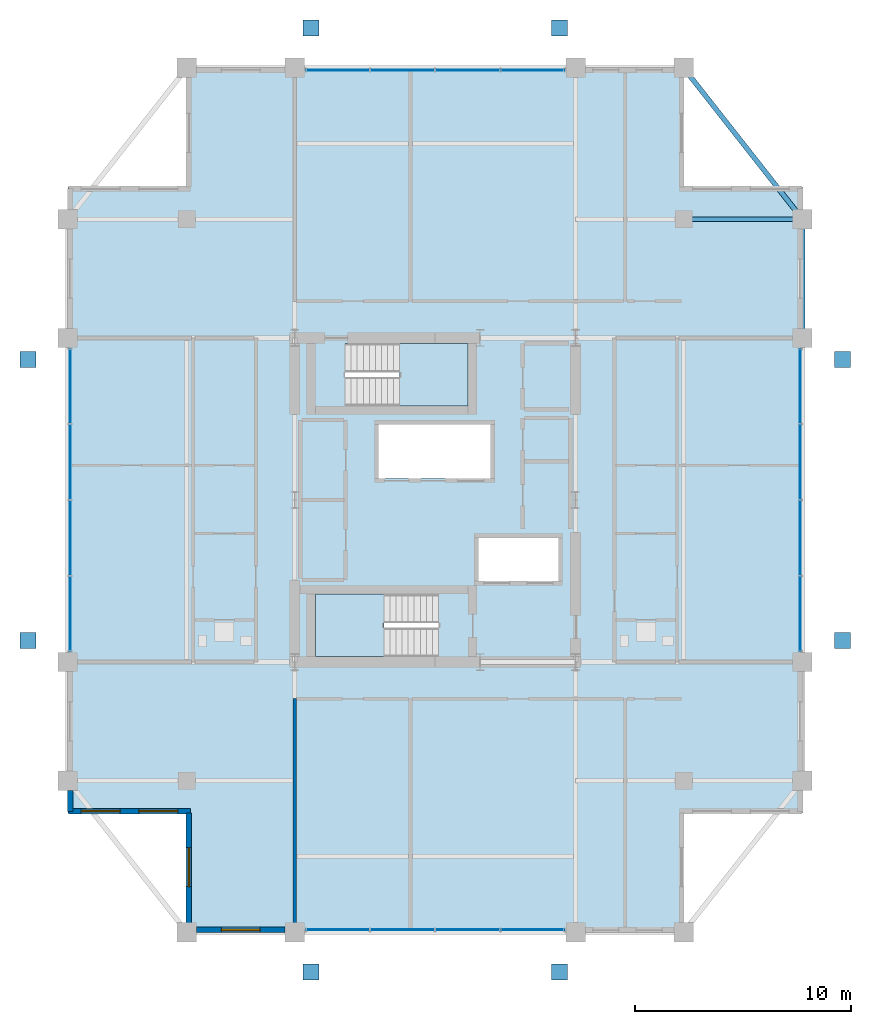
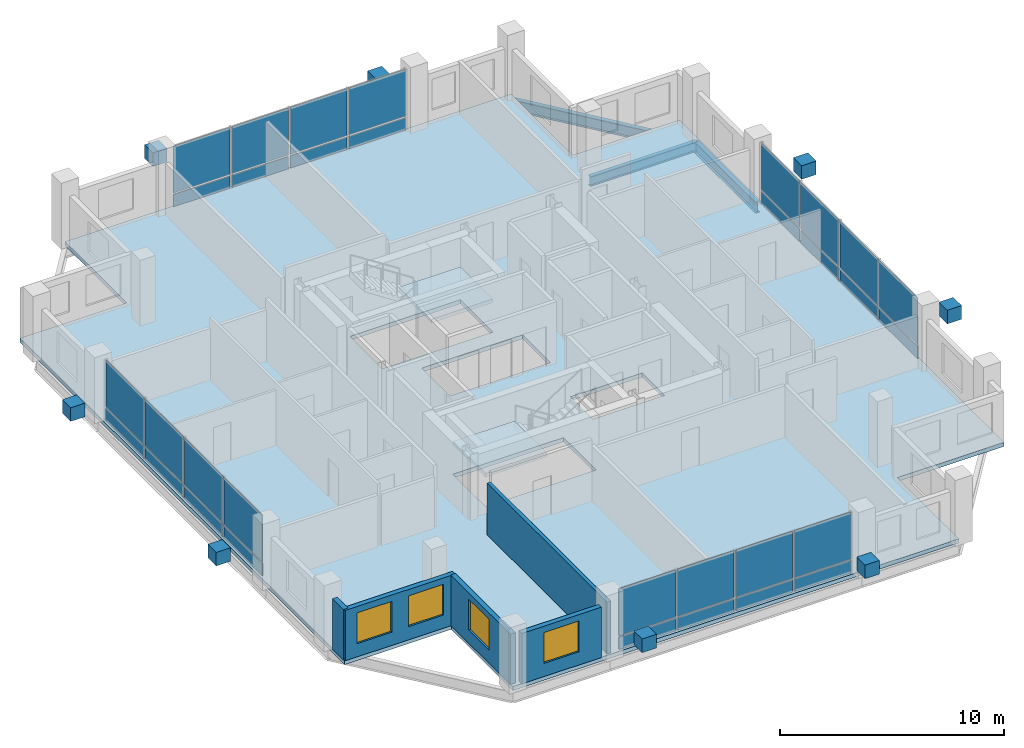
# One storey, part 15 of 21: 40 plates, 5 walls, 4 windows, 3 beams, 3 slabs, 4 openings, 6 elements without a shape of their own.
"""IFC4 building model written with IfcOpenShell, lengths in metres."""

from ifc_helpers import new_model, si_unit, direction, frame, frame_2d, origin, origin_2d, place, context, subcontext, project, spatial, polyline, rectangle, i_section, outline, extrude, material, layer, layer_set, material_profile, profile_set, type_object, element, fill, aggregate, save


model = new_model("IFC4")

# Units and contexts
model_context = context("Model", 3, precision=1e-05, world=origin(), true_north=direction((0.0, 1.0)))
body_context = subcontext(model_context, "Body", "Model", "MODEL_VIEW")
ifc_project = project(units=[si_unit("LENGTHUNIT", "METRE"), si_unit("AREAUNIT", "SQUARE_METRE"), si_unit("VOLUMEUNIT", "CUBIC_METRE"), si_unit("PLANEANGLEUNIT", "RADIAN"), si_unit("MASSUNIT", "GRAM", prefix="KILO")], contexts=[model_context])

# Site, building, storey
site_placement = place(None, origin())
site = spatial("IfcSite", under=ifc_project, at=site_placement, CompositionType="ELEMENT")
building_placement = place(site_placement, origin())
building = spatial("IfcBuilding", under=site, at=building_placement, Name="Barlavira Tower and Art Museum", CompositionType="ELEMENT")
storey_placement = place(building_placement, frame((0.0, 0.0, 287.10009765625)))
storey = spatial("IfcBuildingStorey", under=building, at=storey_placement, Name="L75", CompositionType="ELEMENT", Elevation=287.10009765625)

# Beams
ifc_material_1 = material(Name="Steel S355", Category="steel")
ifc_material_profile_1 = material_profile(ifc_material_1, i_section(OverallWidth=0.22998046875, OverallDepth=0.616943359375, WebThickness=0.01318359375, FlangeThickness=0.022216796875, at=origin_2d()), Name="W610x140.0")
ifc_profile_set_1 = profile_set([ifc_material_profile_1], Name="Steel S355")
beam_type_1 = type_object("IfcBeamType", Name="Upper Shaft Spandrel Edge Beam W610x140 Steel S355", PredefinedType="SPANDREL", material=ifc_profile_set_1)
beam_1_placement = place(storey_placement, frame((17.0, 7.5, -0.528564453125), z_axis=(0.0, 1.0, 0.0), x_axis=(-1.0, 0.0, 0.0)))
element("IfcBeam", 1, at=beam_1_placement, inside=storey, type_object=beam_type_1, Name="L75 Spandrel 7", PredefinedType="SPANDREL", context=body_context, shape_type="SweptSolid", body=[
    extrude(i_section(OverallWidth=0.22998046875, OverallDepth=0.616943359375, WebThickness=0.01318359375, FlangeThickness=0.022216796875, at=origin_2d()), origin(), (0.0, 0.0, 1.0), 5.5),
])
beam_2_placement = place(storey_placement, frame((17.0, 13.0, -0.528564453125), z_axis=(-0.617821551932, 0.786318338822, 0.0), x_axis=(-0.786318338822, -0.617821551932, 0.0)))
element("IfcBeam", 2, at=beam_2_placement, inside=storey, type_object=beam_type_1, Name="L75 Spandrel 8", PredefinedType="SPANDREL", context=body_context, shape_type="SweptSolid", body=[
    extrude(i_section(OverallWidth=0.22998046875, OverallDepth=0.616943359375, WebThickness=0.01318359375, FlangeThickness=0.022216796875, at=origin_2d()), origin(), (0.0, 0.0, 1.0), 8.90234375),
])
ifc_material_profile_2 = material_profile(ifc_material_1, i_section(OverallWidth=0.2109375, OverallDepth=0.5390625, WebThickness=0.01171875, FlangeThickness=0.018798828125, at=origin_2d()), Name="W530x109.0")
ifc_profile_set_2 = profile_set([ifc_material_profile_2], Name="Steel S355")
beam_type_2 = type_object("IfcBeamType", Name="Zone 3-4 Primary Floor Girder W530x109 Steel S355", PredefinedType="BEAM", material=ifc_profile_set_2)
beam_3_placement = place(storey_placement, frame((11.5, 13.0, -0.489501953125), z_axis=(1.0, 0.0, 0.0), x_axis=(0.0, 1.0, 0.0)))
element("IfcBeam", 3, at=beam_3_placement, inside=storey, type_object=beam_type_2, Name="L75 Girder I-N4", PredefinedType="BEAM", context=body_context, shape_type="SweptSolid", body=[
    extrude(i_section(OverallWidth=0.2109375, OverallDepth=0.5390625, WebThickness=0.01171875, FlangeThickness=0.018798828125, at=origin_2d()), origin(), (0.0, 0.0, 1.0), 5.5),
])

# Curtain wall, plates
ifc_material_2 = material(Name="Low-iron coastal laminated glass", Category="glass")
ifc_layer_1 = layer(ifc_material_2, 0.2099609375, Name="Low-iron coastal laminated glass")
ifc_layer_set_1 = layer_set([ifc_layer_1], Name="Low-iron coastal laminated glass")
curtain_wall_type = type_object("IfcCurtainWallType", Name="Pale-Metal Unitised Curtain Wall Zone 4", PredefinedType="NOTDEFINED", material=ifc_layer_set_1)
curtain_wall_1_placement = place(storey_placement, origin())
curtain_wall_1 = element("IfcCurtainWall", 4, at=curtain_wall_1_placement, inside=storey, type_object=curtain_wall_type, Name="L75 Curtain Wall CW4-L75-S-B2", PredefinedType="NOTDEFINED")
ifc_material_3 = material(Name="Pale anodised aluminium", Category="aluminium")
ifc_layer_2 = layer(ifc_material_3, 0.044921875, Name="Pale anodised aluminium")
ifc_layer_set_2 = layer_set([ifc_layer_2], Name="Pale anodised aluminium")
plate_type_1 = type_object("IfcPlateType", Name="Curtain Wall Pale-Metal Spandrel Panel 45", PredefinedType="CURTAIN_PANEL", material=ifc_layer_set_2)
plate_1_placement = place(storey_placement, frame((-4.5224609375, -19.89990234375, 0.039794921875), z_axis=(0.0, 0.0, 1.0), x_axis=(1.0, 0.0, 0.0)))
plate_1 = element("IfcPlate", 5, at=plate_1_placement, type_object=plate_type_1, Name="CW4-L75-S-B2 Spandrel Panel 0", PredefinedType="CURTAIN_PANEL", context=body_context, shape_type="SweptSolid", body=[
    extrude(rectangle(XDim=2.9150390625, YDim=0.044921875, at=origin_2d()), origin(), (0.0, 0.0, 1.0), 0.6640625),
])
plate_2_placement = place(storey_placement, frame((-1.507568359375, -19.89990234375, 0.039794921875), z_axis=(0.0, 0.0, 1.0), x_axis=(1.0, 0.0, 0.0)))
plate_2 = element("IfcPlate", 6, at=plate_2_placement, type_object=plate_type_1, Name="CW4-L75-S-B2 Spandrel Panel 1", PredefinedType="CURTAIN_PANEL", context=body_context, shape_type="SweptSolid", body=[
    extrude(rectangle(XDim=2.9150390625, YDim=0.044921875, at=origin_2d()), origin(), (0.0, 0.0, 1.0), 0.6640625),
])
plate_3_placement = place(storey_placement, frame((1.507568359375, -19.89990234375, 0.039794921875), z_axis=(0.0, 0.0, 1.0), x_axis=(1.0, 0.0, 0.0)))
plate_3 = element("IfcPlate", 7, at=plate_3_placement, type_object=plate_type_1, Name="CW4-L75-S-B2 Spandrel Panel 2", PredefinedType="CURTAIN_PANEL", context=body_context, shape_type="SweptSolid", body=[
    extrude(rectangle(XDim=2.9150390625, YDim=0.044921875, at=origin_2d()), origin(), (0.0, 0.0, 1.0), 0.6640625),
])
plate_4_placement = place(storey_placement, frame((4.5224609375, -19.89990234375, 0.039794921875), z_axis=(0.0, 0.0, 1.0), x_axis=(1.0, 0.0, 0.0)))
plate_4 = element("IfcPlate", 8, at=plate_4_placement, type_object=plate_type_1, Name="CW4-L75-S-B2 Spandrel Panel 3", PredefinedType="CURTAIN_PANEL", context=body_context, shape_type="SweptSolid", body=[
    extrude(rectangle(XDim=2.9150390625, YDim=0.044921875, at=origin_2d()), origin(), (0.0, 0.0, 1.0), 0.6640625),
])

curtain_wall_2_placement = place(storey_placement, origin())
curtain_wall_2 = element("IfcCurtainWall", 9, at=curtain_wall_2_placement, inside=storey, type_object=curtain_wall_type, Name="L75 Curtain Wall CW4-L75-N-B2", PredefinedType="NOTDEFINED")
plate_5_placement = place(storey_placement, frame((4.5224609375, 19.89990234375, 0.039794921875), z_axis=(0.0, 0.0, 1.0), x_axis=(-1.0, 0.0, 0.0)))
plate_5 = element("IfcPlate", 10, at=plate_5_placement, type_object=plate_type_1, Name="CW4-L75-N-B2 Spandrel Panel 0", PredefinedType="CURTAIN_PANEL", context=body_context, shape_type="SweptSolid", body=[
    extrude(rectangle(XDim=2.9150390625, YDim=0.044921875, at=origin_2d()), origin(), (0.0, 0.0, 1.0), 0.6640625),
])
plate_6_placement = place(storey_placement, frame((1.507568359375, 19.89990234375, 0.039794921875), z_axis=(0.0, 0.0, 1.0), x_axis=(-1.0, 0.0, 0.0)))
plate_6 = element("IfcPlate", 11, at=plate_6_placement, type_object=plate_type_1, Name="CW4-L75-N-B2 Spandrel Panel 1", PredefinedType="CURTAIN_PANEL", context=body_context, shape_type="SweptSolid", body=[
    extrude(rectangle(XDim=2.9150390625, YDim=0.044921875, at=origin_2d()), origin(), (0.0, 0.0, 1.0), 0.6640625),
])
plate_7_placement = place(storey_placement, frame((-1.507568359375, 19.89990234375, 0.039794921875), z_axis=(0.0, 0.0, 1.0), x_axis=(-1.0, 0.0, 0.0)))
plate_7 = element("IfcPlate", 12, at=plate_7_placement, type_object=plate_type_1, Name="CW4-L75-N-B2 Spandrel Panel 2", PredefinedType="CURTAIN_PANEL", context=body_context, shape_type="SweptSolid", body=[
    extrude(rectangle(XDim=2.9150390625, YDim=0.044921875, at=origin_2d()), origin(), (0.0, 0.0, 1.0), 0.6640625),
])
plate_8_placement = place(storey_placement, frame((-4.5224609375, 19.89990234375, 0.039794921875), z_axis=(0.0, 0.0, 1.0), x_axis=(-1.0, 0.0, 0.0)))
plate_8 = element("IfcPlate", 13, at=plate_8_placement, type_object=plate_type_1, Name="CW4-L75-N-B2 Spandrel Panel 3", PredefinedType="CURTAIN_PANEL", context=body_context, shape_type="SweptSolid", body=[
    extrude(rectangle(XDim=2.9150390625, YDim=0.044921875, at=origin_2d()), origin(), (0.0, 0.0, 1.0), 0.6640625),
])

curtain_wall_3_placement = place(storey_placement, origin())
curtain_wall_3 = element("IfcCurtainWall", 14, at=curtain_wall_3_placement, inside=storey, type_object=curtain_wall_type, Name="L75 Curtain Wall CW4-L75-W-B3", PredefinedType="NOTDEFINED")
plate_9_placement = place(storey_placement, frame((-16.89990234375, 5.2724609375, 0.039794921875), z_axis=(0.0, 0.0, 1.0), x_axis=(0.0, -1.0, 0.0)))
plate_9 = element("IfcPlate", 15, at=plate_9_placement, type_object=plate_type_1, Name="CW4-L75-W-B3 Spandrel Panel 0", PredefinedType="CURTAIN_PANEL", context=body_context, shape_type="SweptSolid", body=[
    extrude(rectangle(XDim=3.4150390625, YDim=0.044921875, at=origin_2d()), origin(), (0.0, 0.0, 1.0), 0.6640625),
])
plate_10_placement = place(storey_placement, frame((-16.89990234375, 1.757568359375, 0.039794921875), z_axis=(0.0, 0.0, 1.0), x_axis=(0.0, -1.0, 0.0)))
plate_10 = element("IfcPlate", 16, at=plate_10_placement, type_object=plate_type_1, Name="CW4-L75-W-B3 Spandrel Panel 1", PredefinedType="CURTAIN_PANEL", context=body_context, shape_type="SweptSolid", body=[
    extrude(rectangle(XDim=3.4150390625, YDim=0.044921875, at=origin_2d()), origin(), (0.0, 0.0, 1.0), 0.6640625),
])
plate_11_placement = place(storey_placement, frame((-16.89990234375, -1.757568359375, 0.039794921875), z_axis=(0.0, 0.0, 1.0), x_axis=(0.0, -1.0, 0.0)))
plate_11 = element("IfcPlate", 17, at=plate_11_placement, type_object=plate_type_1, Name="CW4-L75-W-B3 Spandrel Panel 2", PredefinedType="CURTAIN_PANEL", context=body_context, shape_type="SweptSolid", body=[
    extrude(rectangle(XDim=3.4150390625, YDim=0.044921875, at=origin_2d()), origin(), (0.0, 0.0, 1.0), 0.6640625),
])
plate_12_placement = place(storey_placement, frame((-16.89990234375, -5.2724609375, 0.039794921875), z_axis=(0.0, 0.0, 1.0), x_axis=(0.0, -1.0, 0.0)))
plate_12 = element("IfcPlate", 18, at=plate_12_placement, type_object=plate_type_1, Name="CW4-L75-W-B3 Spandrel Panel 3", PredefinedType="CURTAIN_PANEL", context=body_context, shape_type="SweptSolid", body=[
    extrude(rectangle(XDim=3.4150390625, YDim=0.044921875, at=origin_2d()), origin(), (0.0, 0.0, 1.0), 0.6640625),
])

curtain_wall_4_placement = place(storey_placement, origin())
curtain_wall_4 = element("IfcCurtainWall", 19, at=curtain_wall_4_placement, inside=storey, type_object=curtain_wall_type, Name="L75 Curtain Wall CW4-L75-E-B3", PredefinedType="NOTDEFINED")
plate_13_placement = place(storey_placement, frame((16.89990234375, -5.2724609375, 0.039794921875), z_axis=(0.0, 0.0, 1.0), x_axis=(0.0, 1.0, 0.0)))
plate_13 = element("IfcPlate", 20, at=plate_13_placement, type_object=plate_type_1, Name="CW4-L75-E-B3 Spandrel Panel 0", PredefinedType="CURTAIN_PANEL", context=body_context, shape_type="SweptSolid", body=[
    extrude(rectangle(XDim=3.4150390625, YDim=0.044921875, at=origin_2d()), origin(), (0.0, 0.0, 1.0), 0.6640625),
])
plate_14_placement = place(storey_placement, frame((16.89990234375, -1.757568359375, 0.039794921875), z_axis=(0.0, 0.0, 1.0), x_axis=(0.0, 1.0, 0.0)))
plate_14 = element("IfcPlate", 21, at=plate_14_placement, type_object=plate_type_1, Name="CW4-L75-E-B3 Spandrel Panel 1", PredefinedType="CURTAIN_PANEL", context=body_context, shape_type="SweptSolid", body=[
    extrude(rectangle(XDim=3.4150390625, YDim=0.044921875, at=origin_2d()), origin(), (0.0, 0.0, 1.0), 0.6640625),
])
plate_15_placement = place(storey_placement, frame((16.89990234375, 1.757568359375, 0.039794921875), z_axis=(0.0, 0.0, 1.0), x_axis=(0.0, 1.0, 0.0)))
plate_15 = element("IfcPlate", 22, at=plate_15_placement, type_object=plate_type_1, Name="CW4-L75-E-B3 Spandrel Panel 2", PredefinedType="CURTAIN_PANEL", context=body_context, shape_type="SweptSolid", body=[
    extrude(rectangle(XDim=3.4150390625, YDim=0.044921875, at=origin_2d()), origin(), (0.0, 0.0, 1.0), 0.6640625),
])
plate_16_placement = place(storey_placement, frame((16.89990234375, 5.2724609375, 0.039794921875), z_axis=(0.0, 0.0, 1.0), x_axis=(0.0, 1.0, 0.0)))
plate_16 = element("IfcPlate", 23, at=plate_16_placement, type_object=plate_type_1, Name="CW4-L75-E-B3 Spandrel Panel 3", PredefinedType="CURTAIN_PANEL", context=body_context, shape_type="SweptSolid", body=[
    extrude(rectangle(XDim=3.4150390625, YDim=0.044921875, at=origin_2d()), origin(), (0.0, 0.0, 1.0), 0.6640625),
])

# Plate
ifc_layer_3 = layer(ifc_material_2, 0.028076171875, Name="Low-iron coastal laminated glass")
ifc_layer_set_3 = layer_set([ifc_layer_3], Name="Low-iron coastal laminated glass")
plate_type_2 = type_object("IfcPlateType", Name="Curtain Wall Vision Glazing Panel 28", PredefinedType="CURTAIN_PANEL", material=ifc_layer_set_3)
plate_17_placement = place(storey_placement, frame((-4.5224609375, -19.89990234375, 0.7841796875), z_axis=(0.0, 0.0, 1.0), x_axis=(1.0, 0.0, 0.0)))
plate_17 = element("IfcPlate", 24, at=plate_17_placement, type_object=plate_type_2, Name="CW4-L75-S-B2 Vision Glass Panel 0", PredefinedType="CURTAIN_PANEL", context=body_context, shape_type="SweptSolid", body=[
    extrude(rectangle(XDim=2.9150390625, YDim=0.028076171875, at=origin_2d()), origin(), (0.0, 0.0, 1.0), 2.555908203125),
])

plate_18_placement = place(storey_placement, frame((-1.507568359375, -19.89990234375, 0.7841796875), z_axis=(0.0, 0.0, 1.0), x_axis=(1.0, 0.0, 0.0)))
plate_18 = element("IfcPlate", 25, at=plate_18_placement, type_object=plate_type_2, Name="CW4-L75-S-B2 Vision Glass Panel 1", PredefinedType="CURTAIN_PANEL", context=body_context, shape_type="SweptSolid", body=[
    extrude(rectangle(XDim=2.9150390625, YDim=0.028076171875, at=origin_2d()), origin(), (0.0, 0.0, 1.0), 2.555908203125),
])

plate_19_placement = place(storey_placement, frame((1.507568359375, -19.89990234375, 0.7841796875), z_axis=(0.0, 0.0, 1.0), x_axis=(1.0, 0.0, 0.0)))
plate_19 = element("IfcPlate", 26, at=plate_19_placement, type_object=plate_type_2, Name="CW4-L75-S-B2 Vision Glass Panel 2", PredefinedType="CURTAIN_PANEL", context=body_context, shape_type="SweptSolid", body=[
    extrude(rectangle(XDim=2.9150390625, YDim=0.028076171875, at=origin_2d()), origin(), (0.0, 0.0, 1.0), 2.555908203125),
])

plate_20_placement = place(storey_placement, frame((4.5224609375, -19.89990234375, 0.7841796875), z_axis=(0.0, 0.0, 1.0), x_axis=(1.0, 0.0, 0.0)))
plate_20 = element("IfcPlate", 27, at=plate_20_placement, type_object=plate_type_2, Name="CW4-L75-S-B2 Vision Glass Panel 3", PredefinedType="CURTAIN_PANEL", context=body_context, shape_type="SweptSolid", body=[
    extrude(rectangle(XDim=2.9150390625, YDim=0.028076171875, at=origin_2d()), origin(), (0.0, 0.0, 1.0), 2.555908203125),
])

aggregate(curtain_wall_1, [plate_1, plate_17, plate_2, plate_18, plate_3, plate_19, plate_4, plate_20])

plate_21_placement = place(storey_placement, frame((4.5224609375, 19.89990234375, 0.7841796875), z_axis=(0.0, 0.0, 1.0), x_axis=(-1.0, 0.0, 0.0)))
plate_21 = element("IfcPlate", 28, at=plate_21_placement, type_object=plate_type_2, Name="CW4-L75-N-B2 Vision Glass Panel 0", PredefinedType="CURTAIN_PANEL", context=body_context, shape_type="SweptSolid", body=[
    extrude(rectangle(XDim=2.9150390625, YDim=0.028076171875, at=origin_2d()), origin(), (0.0, 0.0, 1.0), 2.555908203125),
])

plate_22_placement = place(storey_placement, frame((1.507568359375, 19.89990234375, 0.7841796875), z_axis=(0.0, 0.0, 1.0), x_axis=(-1.0, 0.0, 0.0)))
plate_22 = element("IfcPlate", 29, at=plate_22_placement, type_object=plate_type_2, Name="CW4-L75-N-B2 Vision Glass Panel 1", PredefinedType="CURTAIN_PANEL", context=body_context, shape_type="SweptSolid", body=[
    extrude(rectangle(XDim=2.9150390625, YDim=0.028076171875, at=origin_2d()), origin(), (0.0, 0.0, 1.0), 2.555908203125),
])

plate_23_placement = place(storey_placement, frame((-1.507568359375, 19.89990234375, 0.7841796875), z_axis=(0.0, 0.0, 1.0), x_axis=(-1.0, 0.0, 0.0)))
plate_23 = element("IfcPlate", 30, at=plate_23_placement, type_object=plate_type_2, Name="CW4-L75-N-B2 Vision Glass Panel 2", PredefinedType="CURTAIN_PANEL", context=body_context, shape_type="SweptSolid", body=[
    extrude(rectangle(XDim=2.9150390625, YDim=0.028076171875, at=origin_2d()), origin(), (0.0, 0.0, 1.0), 2.555908203125),
])

plate_24_placement = place(storey_placement, frame((-4.5224609375, 19.89990234375, 0.7841796875), z_axis=(0.0, 0.0, 1.0), x_axis=(-1.0, 0.0, 0.0)))
plate_24 = element("IfcPlate", 31, at=plate_24_placement, type_object=plate_type_2, Name="CW4-L75-N-B2 Vision Glass Panel 3", PredefinedType="CURTAIN_PANEL", context=body_context, shape_type="SweptSolid", body=[
    extrude(rectangle(XDim=2.9150390625, YDim=0.028076171875, at=origin_2d()), origin(), (0.0, 0.0, 1.0), 2.555908203125),
])

aggregate(curtain_wall_2, [plate_5, plate_21, plate_6, plate_22, plate_7, plate_23, plate_8, plate_24])

plate_25_placement = place(storey_placement, frame((-16.89990234375, 5.2724609375, 0.7841796875), z_axis=(0.0, 0.0, 1.0), x_axis=(0.0, -1.0, 0.0)))
plate_25 = element("IfcPlate", 32, at=plate_25_placement, type_object=plate_type_2, Name="CW4-L75-W-B3 Vision Glass Panel 0", PredefinedType="CURTAIN_PANEL", context=body_context, shape_type="SweptSolid", body=[
    extrude(rectangle(XDim=3.4150390625, YDim=0.028076171875, at=origin_2d()), origin(), (0.0, 0.0, 1.0), 2.555908203125),
])

plate_26_placement = place(storey_placement, frame((-16.89990234375, 1.757568359375, 0.7841796875), z_axis=(0.0, 0.0, 1.0), x_axis=(0.0, -1.0, 0.0)))
plate_26 = element("IfcPlate", 33, at=plate_26_placement, type_object=plate_type_2, Name="CW4-L75-W-B3 Vision Glass Panel 1", PredefinedType="CURTAIN_PANEL", context=body_context, shape_type="SweptSolid", body=[
    extrude(rectangle(XDim=3.4150390625, YDim=0.028076171875, at=origin_2d()), origin(), (0.0, 0.0, 1.0), 2.555908203125),
])

plate_27_placement = place(storey_placement, frame((-16.89990234375, -1.757568359375, 0.7841796875), z_axis=(0.0, 0.0, 1.0), x_axis=(0.0, -1.0, 0.0)))
plate_27 = element("IfcPlate", 34, at=plate_27_placement, type_object=plate_type_2, Name="CW4-L75-W-B3 Vision Glass Panel 2", PredefinedType="CURTAIN_PANEL", context=body_context, shape_type="SweptSolid", body=[
    extrude(rectangle(XDim=3.4150390625, YDim=0.028076171875, at=origin_2d()), origin(), (0.0, 0.0, 1.0), 2.555908203125),
])

plate_28_placement = place(storey_placement, frame((-16.89990234375, -5.2724609375, 0.7841796875), z_axis=(0.0, 0.0, 1.0), x_axis=(0.0, -1.0, 0.0)))
plate_28 = element("IfcPlate", 35, at=plate_28_placement, type_object=plate_type_2, Name="CW4-L75-W-B3 Vision Glass Panel 3", PredefinedType="CURTAIN_PANEL", context=body_context, shape_type="SweptSolid", body=[
    extrude(rectangle(XDim=3.4150390625, YDim=0.028076171875, at=origin_2d()), origin(), (0.0, 0.0, 1.0), 2.555908203125),
])

aggregate(curtain_wall_3, [plate_9, plate_25, plate_10, plate_26, plate_11, plate_27, plate_12, plate_28])

plate_29_placement = place(storey_placement, frame((16.89990234375, -5.2724609375, 0.7841796875), z_axis=(0.0, 0.0, 1.0), x_axis=(0.0, 1.0, 0.0)))
plate_29 = element("IfcPlate", 36, at=plate_29_placement, type_object=plate_type_2, Name="CW4-L75-E-B3 Vision Glass Panel 0", PredefinedType="CURTAIN_PANEL", context=body_context, shape_type="SweptSolid", body=[
    extrude(rectangle(XDim=3.4150390625, YDim=0.028076171875, at=origin_2d()), origin(), (0.0, 0.0, 1.0), 2.555908203125),
])

plate_30_placement = place(storey_placement, frame((16.89990234375, -1.757568359375, 0.7841796875), z_axis=(0.0, 0.0, 1.0), x_axis=(0.0, 1.0, 0.0)))
plate_30 = element("IfcPlate", 37, at=plate_30_placement, type_object=plate_type_2, Name="CW4-L75-E-B3 Vision Glass Panel 1", PredefinedType="CURTAIN_PANEL", context=body_context, shape_type="SweptSolid", body=[
    extrude(rectangle(XDim=3.4150390625, YDim=0.028076171875, at=origin_2d()), origin(), (0.0, 0.0, 1.0), 2.555908203125),
])

plate_31_placement = place(storey_placement, frame((16.89990234375, 1.757568359375, 0.7841796875), z_axis=(0.0, 0.0, 1.0), x_axis=(0.0, 1.0, 0.0)))
plate_31 = element("IfcPlate", 38, at=plate_31_placement, type_object=plate_type_2, Name="CW4-L75-E-B3 Vision Glass Panel 2", PredefinedType="CURTAIN_PANEL", context=body_context, shape_type="SweptSolid", body=[
    extrude(rectangle(XDim=3.4150390625, YDim=0.028076171875, at=origin_2d()), origin(), (0.0, 0.0, 1.0), 2.555908203125),
])

plate_32_placement = place(storey_placement, frame((16.89990234375, 5.2724609375, 0.7841796875), z_axis=(0.0, 0.0, 1.0), x_axis=(0.0, 1.0, 0.0)))
plate_32 = element("IfcPlate", 39, at=plate_32_placement, type_object=plate_type_2, Name="CW4-L75-E-B3 Vision Glass Panel 3", PredefinedType="CURTAIN_PANEL", context=body_context, shape_type="SweptSolid", body=[
    extrude(rectangle(XDim=3.4150390625, YDim=0.028076171875, at=origin_2d()), origin(), (0.0, 0.0, 1.0), 2.555908203125),
])

aggregate(curtain_wall_4, [plate_13, plate_29, plate_14, plate_30, plate_15, plate_31, plate_16, plate_32])

# Plates
ifc_layer_4 = layer(ifc_material_1, 0.739990234375, Name="Steel S355")
ifc_layer_set_4 = layer_set([ifc_layer_4], Name="Steel S355")
plate_type_3 = type_object("IfcPlateType", Name="Exoskeleton Solid Steel Node Cap Plate Assembly Type 4 Steel S355", PredefinedType="USERDEFINED", material=ifc_layer_set_4)
for number, where, z_axis, x_axis, name in (
    (40, (-5.75, -21.85009765625, 1.31005859375), (0.0, 0.0, 1.0), (1.0, 0.0, 0.0), "Exoskeleton Diamond Node S1 ND-L75-0832"),
    (41, (5.75, -21.85009765625, 1.31005859375), (0.0, 0.0, 1.0), (1.0, 0.0, 0.0), "Exoskeleton Diamond Node S2 ND-L75-0833"),
    (42, (-5.75, 21.85009765625, 1.31005859375), (0.0, 0.0, 1.0), (1.0, 0.0, 0.0), "Exoskeleton Diamond Node N1 ND-L75-0840"),
    (43, (5.75, 21.85009765625, 1.31005859375), (0.0, 0.0, 1.0), (1.0, 0.0, 0.0), "Exoskeleton Diamond Node N2 ND-L75-0841"),
    (44, (-18.85009765625, -6.5, 1.31005859375), (0.0, 0.0, 1.0), (1.0, 0.0, 0.0), "Exoskeleton Diamond Node W1 ND-L75-0848"),
    (45, (-18.85009765625, 6.5, 1.31005859375), (0.0, 0.0, 1.0), (1.0, 0.0, 0.0), "Exoskeleton Diamond Node W2 ND-L75-0849"),
    (46, (18.85009765625, -6.5, 1.31005859375), (0.0, 0.0, 1.0), (1.0, 0.0, 0.0), "Exoskeleton Diamond Node E1 ND-L75-0856"),
    (47, (18.85009765625, 6.5, 1.31005859375), (0.0, 0.0, 1.0), (1.0, 0.0, 0.0), "Exoskeleton Diamond Node E2 ND-L75-0857"),
):
    element("IfcPlate", number, at=place(storey_placement, frame(where, z_axis=z_axis, x_axis=x_axis)), inside=storey, type_object=plate_type_3, Name=name, ObjectType="FLANGE_PLATE", PredefinedType="USERDEFINED", context=body_context, shape_type="SweptSolid", body=[
        extrude(rectangle(XDim=0.739990234375, YDim=0.739990234375, at=origin_2d()), origin(), (0.0, 0.0, 1.0), 0.739990234375),
    ])

# Stair, slab
ifc_material_4 = material(Name="Concrete C45", Category="concrete")
stair_type_1 = type_object("IfcStairType", Name="Tower North Dog-Leg Exit Stair Assembly Concrete C45", PredefinedType="TWO_QUARTER_TURN_STAIR", material=ifc_material_4)
stair_1_placement = place(storey_placement, origin())
stair_1 = element("IfcStair", 48, at=stair_1_placement, inside=storey, type_object=stair_type_1, Name="L75 Tower North Exit Stair ST-T2", PredefinedType="TWO_QUARTER_TURN_STAIR")
ifc_layer_5 = layer(ifc_material_4, 0.199951171875, Name="Concrete C45")
ifc_layer_set_5 = layer_set([ifc_layer_5], Name="Concrete C45")
slab_type_1 = type_object("IfcSlabType", Name="Tower North Dog-Leg Exit Stair Half-Landing Slab 200 Concrete C45", PredefinedType="LANDING", material=ifc_layer_set_5)
slab_1_placement = place(storey_placement, frame((0.0, 0.0, 1.599853515625)))
slab_1 = element("IfcSlab", 49, at=slab_1_placement, type_object=slab_type_1, Name="ST-T2 landing 1", PredefinedType="LANDING", context=body_context, shape_type="SweptSolid", body=[
    extrude(outline(polyline([(-1.64990234375, 4.35009765625), (1.530029296875, 4.35009765625), (1.530029296875, 7.25), (-1.64990234375, 7.25), (-1.64990234375, 4.35009765625)])), origin(), (0.0, 0.0, 1.0), 0.199951171875),
])
aggregate(stair_1, [slab_1])

stair_type_2 = type_object("IfcStairType", Name="Tower South Dog-Leg Exit Stair Assembly Concrete C45", PredefinedType="TWO_QUARTER_TURN_STAIR", material=ifc_material_4)
stair_2_placement = place(storey_placement, origin())
stair_2 = element("IfcStair", 50, at=stair_2_placement, inside=storey, type_object=stair_type_2, Name="L75 Tower South Exit Stair ST-T1", PredefinedType="TWO_QUARTER_TURN_STAIR")
ifc_layer_6 = layer(ifc_material_4, 0.199951171875, Name="Concrete C45")
ifc_layer_set_6 = layer_set([ifc_layer_6], Name="Concrete C45")
slab_type_2 = type_object("IfcSlabType", Name="Tower South Dog-Leg Exit Stair Half-Landing Slab 200 Concrete C45", PredefinedType="LANDING", material=ifc_layer_set_6)
slab_2_placement = place(storey_placement, frame((0.0, 0.0, 1.599853515625)))
slab_2 = element("IfcSlab", 51, at=slab_2_placement, type_object=slab_type_2, Name="ST-T1 landing 1", PredefinedType="LANDING", context=body_context, shape_type="SweptSolid", body=[
    extrude(outline(polyline([(-2.3701171875, -4.35009765625), (-5.550048828125, -4.35009765625), (-5.550048828125, -7.25), (-2.3701171875, -7.25), (-2.3701171875, -4.35009765625)])), origin(), (0.0, 0.0, 1.0), 0.199951171875),
])
aggregate(stair_2, [slab_2])

# Slab
ifc_material_5 = material(Name="Concrete C50", Category="concrete")
ifc_layer_7 = layer(ifc_material_5, 0.18994140625, Name="Concrete C50")
ifc_layer_set_7 = layer_set([ifc_layer_7], Name="Concrete C50")
slab_type_3 = type_object("IfcSlabType", Name="Zone 4 Residential Composite Slab 190 Concrete C50", PredefinedType="FLOOR", material=ifc_layer_set_7)
slab_3_placement = place(storey_placement, frame((0.0, 0.0, -0.22021484375)))
element("IfcSlab", 52, at=slab_3_placement, inside=storey, type_object=slab_type_3, Name="L75 Tower Floor Slab", PredefinedType="FLOOR", context=body_context, shape_type="SweptSolid", body=[
    extrude(outline(polyline([(-11.5, -20.0), (11.5, -20.0), (11.5, -14.5), (17.0, -14.5), (17.0, 14.5), (11.5, 14.5), (11.5, 20.0), (-11.5, 20.0), (-11.5, 14.5), (-17.0, 14.5), (-17.0, -14.5), (-11.5, -14.5), (-11.5, -20.0)]), holes=[polyline([(0.14990234375, -4.35009765625), (-5.550048828125, -4.35009765625), (-5.550048828125, -7.25), (0.14990234375, -7.25), (0.14990234375, -4.35009765625)]), polyline([(-4.169921875, 4.35009765625), (1.530029296875, 4.35009765625), (1.530029296875, 7.25), (-4.169921875, 7.25), (-4.169921875, 4.35009765625)]), polyline([(-2.6201171875, 1.0), (2.56005859375, 1.0), (2.56005859375, 3.5), (-2.6201171875, 3.5), (-2.6201171875, 1.0)]), polyline([(2.0, -3.75), (5.699951171875, -3.75), (5.699951171875, -1.75), (2.0, -1.75), (2.0, -3.75)])]), origin(), (0.0, 0.0, 1.0), 0.22021484375),
])

# Wall
ifc_material_6 = material(Name="Gypsum acoustic stud partition", Category="gypsum")
ifc_layer_8 = layer(ifc_material_6, 0.179931640625, Name="Gypsum acoustic stud partition")
ifc_layer_set_8 = layer_set([ifc_layer_8], Name="Gypsum acoustic stud partition")
wall_type_1 = type_object("IfcWallType", Name="Inter-Tenancy Party Partition Wall 180", PredefinedType="PARTITIONING", material=ifc_layer_set_8)
wall_1_placement = place(storey_placement, frame((-6.5, -19.89990234375, 0.0), z_axis=(0.0, 0.0, 1.0), x_axis=(0.0, 1.0, 0.0)))
element("IfcWall", 53, at=wall_1_placement, inside=storey, type_object=wall_type_1, Name="L75 Partition Wall 3", PredefinedType="PARTITIONING", context=body_context, shape_type="SweptSolid", body=[
    extrude(rectangle(XDim=10.699951171875, YDim=0.179931640625, at=frame_2d((5.35009765625, 0.0))), origin(), (0.0, 0.0, 1.0), 2.825927734375),
])

# Wall, opening, window
ifc_material_7 = material(Name="Precast concrete C40", Category="concrete")
ifc_layer_9 = layer(ifc_material_7, 0.25, Name="Precast concrete C40")
ifc_layer_set_9 = layer_set([ifc_layer_9], Name="Precast concrete C40")
wall_type_2 = type_object("IfcWallType", Name="Notched Corner Spandrel Wall 250 Precast Concrete C40", PredefinedType="SOLIDWALL", material=ifc_layer_set_9)
wall_2_placement = place(storey_placement, frame((-11.054931640625, -19.89990234375, 0.0), z_axis=(0.0, 0.0, 1.0), x_axis=(1.0, 0.0, 0.0)))
wall_2 = element("IfcWall", 54, at=wall_2_placement, inside=storey, type_object=wall_type_2, Name="L75 Coastal Facade Pier Wall CW4-L75-S-1", PredefinedType="SOLIDWALL", context=body_context, shape_type="SweptSolid", body=[
    extrude(rectangle(XDim=4.10986328125, YDim=0.25, at=frame_2d((2.054931640625, 0.0))), origin(), (0.0, 0.0, 1.0), 2.747802734375),
])
opening_1_placement = place(wall_2_placement, frame((1.155029296875, 0.0, 0.719970703125)))
opening_1 = element("IfcOpeningElement", 55, at=opening_1_placement, cuts=wall_2, Name="Opening WN-01", PredefinedType="OPENING", context=body_context, shape_type="SweptSolid", body=[
    extrude(rectangle(XDim=1.800048828125, YDim=1.679931640625, at=frame_2d((0.89990234375, 0.83984375))), frame((0.0, 0.135009765625, 0.0), z_axis=(0.0, -1.0, 0.0), x_axis=(1.0, 0.0, 0.0)), (0.0, 0.0, 1.0), 0.27001953125),
])
window_type = type_object("IfcWindowType", Name="Recessed Notch Corner Punch Window 1800x1680", PartitioningType="SINGLE_PANEL", PredefinedType="WINDOW", material=ifc_material_2)
window_1_placement = place(opening_1_placement, origin())
window_1 = element("IfcWindow", 56, at=window_1_placement, inside=storey, type_object=window_type, Name="L75 Punched Facade Window EWP-CW4-L75-S-1-1", OverallHeight=1.679931640625, OverallWidth=1.800048828125, PartitioningType="SINGLE_PANEL", PredefinedType="WINDOW", context=body_context, shape_type="SweptSolid", body=[
    extrude(rectangle(XDim=1.800048828125, YDim=1.679931640625, at=frame_2d((0.89990234375, 0.83984375))), frame((0.0, 0.030029296875, 0.0), z_axis=(0.0, -1.0, 0.0), x_axis=(1.0, 0.0, 0.0)), (0.0, 0.0, 1.0), 0.06005859375),
])
fill(opening_1, window_1)

# Wall
wall_3_placement = place(storey_placement, frame((-16.89990234375, -13.445068359375, 0.0), z_axis=(0.0, 0.0, 1.0), x_axis=(0.0, -1.0, 0.0)))
element("IfcWall", 57, at=wall_3_placement, inside=storey, type_object=wall_type_2, Name="L75 Coastal Facade Pier Wall CW4-L75-W-5", PredefinedType="SOLIDWALL", context=body_context, shape_type="SweptSolid", body=[
    extrude(rectangle(XDim=0.97998046875, YDim=0.25, at=frame_2d((0.489990234375, 0.0))), origin(), (0.0, 0.0, 1.0), 2.747802734375),
])

# Wall, openings, windows
wall_4_placement = place(storey_placement, frame((-16.97998046875, -14.39990234375, 0.0), z_axis=(0.0, 0.0, 1.0), x_axis=(1.0, 0.0, 0.0)))
wall_4 = element("IfcWall", 58, at=wall_4_placement, inside=storey, type_object=wall_type_2, Name="L75 Notch Corner Wall SW1", PredefinedType="SOLIDWALL", context=body_context, shape_type="SweptSolid", body=[
    extrude(rectangle(XDim=5.659912109375, YDim=0.25, at=frame_2d((2.830078125, 0.0))), origin(), (0.0, 0.0, 1.0), 2.747802734375),
])
opening_2_placement = place(wall_4_placement, frame((0.594970703125, 0.0, 0.719970703125)))
opening_2 = element("IfcOpeningElement", 59, at=opening_2_placement, cuts=wall_4, Name="Opening WN-01", PredefinedType="OPENING", context=body_context, shape_type="SweptSolid", body=[
    extrude(rectangle(XDim=1.800048828125, YDim=1.679931640625, at=frame_2d((0.89990234375, 0.83984375))), frame((0.0, 0.135009765625, 0.0), z_axis=(0.0, -1.0, 0.0), x_axis=(1.0, 0.0, 0.0)), (0.0, 0.0, 1.0), 0.27001953125),
])
opening_3_placement = place(wall_4_placement, frame((3.264892578125, 0.0, 0.719970703125)))
opening_3 = element("IfcOpeningElement", 60, at=opening_3_placement, cuts=wall_4, Name="Opening WN-01", PredefinedType="OPENING", context=body_context, shape_type="SweptSolid", body=[
    extrude(rectangle(XDim=1.800048828125, YDim=1.679931640625, at=frame_2d((0.89990234375, 0.83984375))), frame((0.0, 0.135009765625, 0.0), z_axis=(0.0, -1.0, 0.0), x_axis=(1.0, 0.0, 0.0)), (0.0, 0.0, 1.0), 0.27001953125),
])
window_2_placement = place(opening_2_placement, origin())
window_2 = element("IfcWindow", 61, at=window_2_placement, inside=storey, type_object=window_type, Name="L75 Punched Facade Window EW-NTC-L75-SW1-1", OverallHeight=1.679931640625, OverallWidth=1.800048828125, PartitioningType="SINGLE_PANEL", PredefinedType="WINDOW", context=body_context, shape_type="SweptSolid", body=[
    extrude(rectangle(XDim=1.800048828125, YDim=1.679931640625, at=frame_2d((0.89990234375, 0.83984375))), frame((0.0, 0.030029296875, 0.0), z_axis=(0.0, -1.0, 0.0), x_axis=(1.0, 0.0, 0.0)), (0.0, 0.0, 1.0), 0.06005859375),
])
fill(opening_2, window_2)
window_3_placement = place(opening_3_placement, origin())
window_3 = element("IfcWindow", 62, at=window_3_placement, inside=storey, type_object=window_type, Name="L75 Punched Facade Window EW-NTC-L75-SW1-2", OverallHeight=1.679931640625, OverallWidth=1.800048828125, PartitioningType="SINGLE_PANEL", PredefinedType="WINDOW", context=body_context, shape_type="SweptSolid", body=[
    extrude(rectangle(XDim=1.800048828125, YDim=1.679931640625, at=frame_2d((0.89990234375, 0.83984375))), frame((0.0, 0.030029296875, 0.0), z_axis=(0.0, -1.0, 0.0), x_axis=(1.0, 0.0, 0.0)), (0.0, 0.0, 1.0), 0.06005859375),
])
fill(opening_3, window_3)

# Wall, opening, window
wall_5_placement = place(storey_placement, frame((-11.39990234375, -14.47998046875, 0.0), z_axis=(0.0, 0.0, 1.0), x_axis=(0.0, -1.0, 0.0)))
wall_5 = element("IfcWall", 63, at=wall_5_placement, inside=storey, type_object=wall_type_2, Name="L75 Notch Corner Wall SW2", PredefinedType="SOLIDWALL", context=body_context, shape_type="SweptSolid", body=[
    extrude(rectangle(XDim=5.340087890625, YDim=0.25, at=frame_2d((2.669921875, 0.0))), origin(), (0.0, 0.0, 1.0), 2.747802734375),
])
opening_4_placement = place(wall_5_placement, frame((1.614990234375, 0.0, 0.719970703125)))
opening_4 = element("IfcOpeningElement", 64, at=opening_4_placement, cuts=wall_5, Name="Opening WN-01", PredefinedType="OPENING", context=body_context, shape_type="SweptSolid", body=[
    extrude(rectangle(XDim=1.800048828125, YDim=1.679931640625, at=frame_2d((0.89990234375, 0.83984375))), frame((0.0, 0.135009765625, 0.0), z_axis=(0.0, -1.0, 0.0), x_axis=(1.0, 0.0, 0.0)), (0.0, 0.0, 1.0), 0.27001953125),
])
window_4_placement = place(opening_4_placement, origin())
window_4 = element("IfcWindow", 65, at=window_4_placement, inside=storey, type_object=window_type, Name="L75 Punched Facade Window EW-NTC-L75-SW2-1", OverallHeight=1.679931640625, OverallWidth=1.800048828125, PartitioningType="SINGLE_PANEL", PredefinedType="WINDOW", context=body_context, shape_type="SweptSolid", body=[
    extrude(rectangle(XDim=1.800048828125, YDim=1.679931640625, at=frame_2d((0.89990234375, 0.83984375))), frame((0.0, 0.030029296875, 0.0), z_axis=(0.0, -1.0, 0.0), x_axis=(1.0, 0.0, 0.0)), (0.0, 0.0, 1.0), 0.06005859375),
])
fill(opening_4, window_4)

save(model, "model.ifc")
